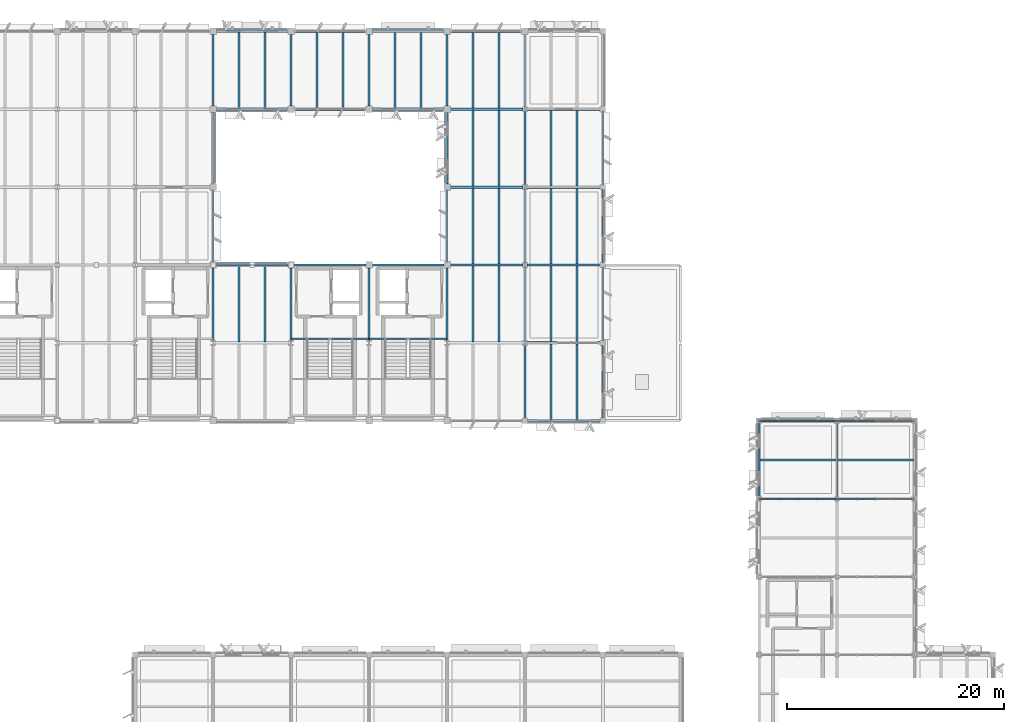
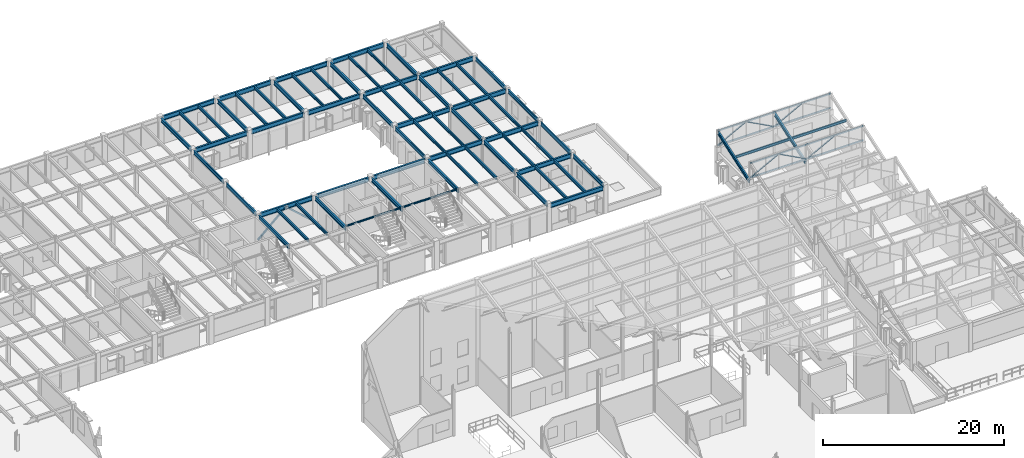
# One storey, part 20 of 82: 69 beams, 16 members.
"""IFC4 building model written with IfcOpenShell, lengths in metres."""

from ifc_helpers import new_model, si_unit, direction, frame, origin, origin_2d, place, context, subcontext, project, spatial, hollow_rectangle, hollow_circle, i_section, extrude, material, material_profile, profile_set, type_object, element, save


model = new_model("IFC4")

# Units and contexts
model_context = context("Model", 3, precision=1e-05, world=origin(), true_north=direction((0.0, 1.0)))
body_context = subcontext(model_context, "Body", "Model", "MODEL_VIEW")
ifc_project = project(units=[si_unit("LENGTHUNIT", "METRE"), si_unit("AREAUNIT", "SQUARE_METRE"), si_unit("VOLUMEUNIT", "CUBIC_METRE"), si_unit("PLANEANGLEUNIT", "RADIAN"), si_unit("MASSUNIT", "GRAM", prefix="KILO")], contexts=[model_context])

# Site, building, storey
site_placement = place(None, origin())
site = spatial("IfcSite", under=ifc_project, at=site_placement, CompositionType="ELEMENT")
building_placement = place(site_placement, origin())
building = spatial("IfcBuilding", under=site, at=building_placement, Name="Sillqori Civic Hall", CompositionType="ELEMENT")
storey_placement = place(building_placement, frame((0.0, 0.0, 14.10009765625)))
storey = spatial("IfcBuildingStorey", under=building, at=storey_placement, Name="L04", CompositionType="ELEMENT", Elevation=14.10009765625)

# Beams
ifc_material_1 = material(Name="Steel ASTM A992", Category="steel")
ifc_material_profile_1 = material_profile(ifc_material_1, i_section(OverallWidth=0.19091796875, OverallDepth=0.4599609375, WebThickness=0.010009765625, FlangeThickness=0.01611328125, FilletRadius=0.012939453125, at=origin_2d()), Name="W18X55")
ifc_profile_set_1 = profile_set([ifc_material_profile_1], Name="Steel ASTM A992")
beam_type_1 = type_object("IfcBeamType", Name="BM-W18X55", PredefinedType="BEAM", material=ifc_profile_set_1)
for number, where, z_axis, x_axis, name in (
    (1, (122.39990234375, 72.14990234375, 3.409912109375), (0.0, 0.944503108263, 0.328502478655), (-1.0, 0.0, 0.0), "Clerestory inclined rafter 17-10"),
    (2, (129.60009765625, 72.14990234375, 3.409912109375), (0.0, 0.944503108263, 0.328502478655), (-1.0, 0.0, 0.0), "Clerestory inclined rafter 18-10"),
):
    element("IfcBeam", number, at=place(storey_placement, frame(where, z_axis=z_axis, x_axis=x_axis)), inside=storey, type_object=beam_type_1, Name=name, PredefinedType="BEAM", context=body_context, shape_type="SweptSolid", body=[
        extrude(i_section(OverallWidth=0.19091796875, OverallDepth=0.4599609375, WebThickness=0.010009765625, FlangeThickness=0.01611328125, FilletRadius=0.012939453125, at=origin_2d()), origin(), (0.0, 0.0, 1.0), 7.3056640625),
    ])
ifc_material_profile_2 = material_profile(ifc_material_1, i_section(OverallWidth=0.2099609375, OverallDepth=0.532958984375, WebThickness=0.01025390625, FlangeThickness=0.015625, FilletRadius=0.013916015625, at=origin_2d()), Name="W21X62")
ifc_profile_set_2 = profile_set([ifc_material_profile_2], Name="Steel ASTM A992")
beam_type_2 = type_object("IfcBeamType", Name="BM-W21X62", PredefinedType="BEAM", material=ifc_profile_set_2)
beam_1_placement = place(storey_placement, frame((72.0, 86.58203125, 3.453369140625), z_axis=(0.0, 1.0, 0.0), x_axis=(-1.0, 0.0, 0.0)))
element("IfcBeam", 3, at=beam_1_placement, inside=storey, type_object=beam_type_2, Name="L04 girder Y 10-12", PredefinedType="BEAM", context=body_context, shape_type="SweptSolid", body=[
    extrude(i_section(OverallWidth=0.2099609375, OverallDepth=0.532958984375, WebThickness=0.01025390625, FlangeThickness=0.015625, FilletRadius=0.013916015625, at=origin_2d()), origin(), (0.0, 0.0, 1.0), 6.723876953125),
])
beam_2_placement = place(storey_placement, frame((72.0, 108.2939453125, 3.453369140625), z_axis=(0.0, 1.0, 0.0), x_axis=(-1.0, 0.0, 0.0)))
element("IfcBeam", 4, at=beam_2_placement, inside=storey, type_object=beam_type_2, Name="L04 girder Y 10-15", PredefinedType="BEAM", context=body_context, shape_type="SweptSolid", body=[
    extrude(i_section(OverallWidth=0.2099609375, OverallDepth=0.532958984375, WebThickness=0.01025390625, FlangeThickness=0.015625, FilletRadius=0.013916015625, at=origin_2d()), origin(), (0.0, 0.0, 1.0), 6.612060546875),
])
beam_3_placement = place(storey_placement, frame((79.199951171875, 86.58203125, 3.453369140625), z_axis=(0.0, 1.0, 0.0), x_axis=(-1.0, 0.0, 0.0)))
element("IfcBeam", 5, at=beam_3_placement, inside=storey, type_object=beam_type_2, Name="L04 girder Y 11-12", PredefinedType="BEAM", context=body_context, shape_type="SweptSolid", body=[
    extrude(i_section(OverallWidth=0.2099609375, OverallDepth=0.532958984375, WebThickness=0.01025390625, FlangeThickness=0.015625, FilletRadius=0.013916015625, at=origin_2d()), origin(), (0.0, 0.0, 1.0), 6.723876953125),
])
beam_4_placement = place(storey_placement, frame((79.199951171875, 108.2939453125, 3.453369140625), z_axis=(0.0, 1.0, 0.0), x_axis=(-1.0, 0.0, 0.0)))
element("IfcBeam", 6, at=beam_4_placement, inside=storey, type_object=beam_type_2, Name="L04 girder Y 11-15", PredefinedType="BEAM", context=body_context, shape_type="SweptSolid", body=[
    extrude(i_section(OverallWidth=0.2099609375, OverallDepth=0.532958984375, WebThickness=0.01025390625, FlangeThickness=0.015625, FilletRadius=0.013916015625, at=origin_2d()), origin(), (0.0, 0.0, 1.0), 6.612060546875),
])
beam_5_placement = place(storey_placement, frame((86.39990234375, 86.58203125, 3.453369140625), z_axis=(0.0, 1.0, 0.0), x_axis=(-1.0, 0.0, 0.0)))
element("IfcBeam", 7, at=beam_5_placement, inside=storey, type_object=beam_type_2, Name="L04 girder Y 12-12", PredefinedType="BEAM", context=body_context, shape_type="SweptSolid", body=[
    extrude(i_section(OverallWidth=0.2099609375, OverallDepth=0.532958984375, WebThickness=0.01025390625, FlangeThickness=0.015625, FilletRadius=0.013916015625, at=origin_2d()), origin(), (0.0, 0.0, 1.0), 6.723876953125),
])
beam_6_placement = place(storey_placement, frame((86.39990234375, 108.2939453125, 3.453369140625), z_axis=(0.0, 1.0, 0.0), x_axis=(-1.0, 0.0, 0.0)))
element("IfcBeam", 8, at=beam_6_placement, inside=storey, type_object=beam_type_2, Name="L04 girder Y 12-15", PredefinedType="BEAM", context=body_context, shape_type="SweptSolid", body=[
    extrude(i_section(OverallWidth=0.2099609375, OverallDepth=0.532958984375, WebThickness=0.01025390625, FlangeThickness=0.015625, FilletRadius=0.013916015625, at=origin_2d()), origin(), (0.0, 0.0, 1.0), 6.612060546875),
])
beam_7_placement = place(storey_placement, frame((93.60009765625, 86.58203125, 3.453369140625), z_axis=(0.0, 1.0, 0.0), x_axis=(-1.0, 0.0, 0.0)))
element("IfcBeam", 9, at=beam_7_placement, inside=storey, type_object=beam_type_2, Name="L04 girder Y 13-12", PredefinedType="BEAM", context=body_context, shape_type="SweptSolid", body=[
    extrude(i_section(OverallWidth=0.2099609375, OverallDepth=0.532958984375, WebThickness=0.01025390625, FlangeThickness=0.015625, FilletRadius=0.013916015625, at=origin_2d()), origin(), (0.0, 0.0, 1.0), 6.723876953125),
])
beam_8_placement = place(storey_placement, frame((93.60009765625, 108.2939453125, 3.453369140625), z_axis=(0.0, 1.0, 0.0), x_axis=(-1.0, 0.0, 0.0)))
element("IfcBeam", 10, at=beam_8_placement, inside=storey, type_object=beam_type_2, Name="L04 girder Y 13-15", PredefinedType="BEAM", context=body_context, shape_type="SweptSolid", body=[
    extrude(i_section(OverallWidth=0.2099609375, OverallDepth=0.532958984375, WebThickness=0.01025390625, FlangeThickness=0.015625, FilletRadius=0.013916015625, at=origin_2d()), origin(), (0.0, 0.0, 1.0), 6.612060546875),
])
beam_9_placement = place(storey_placement, frame((100.800048828125, 79.444091796875, 3.433349609375), z_axis=(0.0, 1.0, 0.0), x_axis=(-1.0, 0.0, 0.0)))
element("IfcBeam", 11, at=beam_9_placement, inside=storey, type_object=beam_type_2, Name="L04 girder Y 14-11", PredefinedType="BEAM", context=body_context, shape_type="SweptSolid", body=[
    extrude(i_section(OverallWidth=0.2099609375, OverallDepth=0.532958984375, WebThickness=0.01025390625, FlangeThickness=0.015625, FilletRadius=0.013916015625, at=origin_2d()), origin(), (0.0, 0.0, 1.0), 6.77392578125),
])
for number, where, z_axis, x_axis, name in (
    (12, (100.800048828125, 86.58203125, 3.433349609375), (0.0, 1.0, 0.0), (-1.0, 0.0, 0.0), "L04 girder Y 14-12"),
    (13, (100.800048828125, 93.781982421875, 3.433349609375), (0.0, 1.0, 0.0), (-1.0, 0.0, 0.0), "L04 girder Y 14-13"),
):
    element("IfcBeam", number, at=place(storey_placement, frame(where, z_axis=z_axis, x_axis=x_axis)), inside=storey, type_object=beam_type_2, Name=name, PredefinedType="BEAM", context=body_context, shape_type="SweptSolid", body=[
        extrude(i_section(OverallWidth=0.2099609375, OverallDepth=0.532958984375, WebThickness=0.01025390625, FlangeThickness=0.015625, FilletRadius=0.013916015625, at=origin_2d()), origin(), (0.0, 0.0, 1.0), 6.8359375),
    ])
beam_10_placement = place(storey_placement, frame((100.800048828125, 100.98193359375, 3.433349609375), z_axis=(0.0, 1.0, 0.0), x_axis=(-1.0, 0.0, 0.0)))
element("IfcBeam", 14, at=beam_10_placement, inside=storey, type_object=beam_type_2, Name="L04 girder Y 14-14", PredefinedType="BEAM", context=body_context, shape_type="SweptSolid", body=[
    extrude(i_section(OverallWidth=0.2099609375, OverallDepth=0.532958984375, WebThickness=0.01025390625, FlangeThickness=0.015625, FilletRadius=0.013916015625, at=origin_2d()), origin(), (0.0, 0.0, 1.0), 6.836181640625),
])
beam_11_placement = place(storey_placement, frame((100.800048828125, 108.181884765625, 3.433349609375), z_axis=(0.0, 1.0, 0.0), x_axis=(-1.0, 0.0, 0.0)))
element("IfcBeam", 15, at=beam_11_placement, inside=storey, type_object=beam_type_2, Name="L04 girder Y 14-15", PredefinedType="BEAM", context=body_context, shape_type="SweptSolid", body=[
    extrude(i_section(OverallWidth=0.2099609375, OverallDepth=0.532958984375, WebThickness=0.01025390625, FlangeThickness=0.015625, FilletRadius=0.013916015625, at=origin_2d()), origin(), (0.0, 0.0, 1.0), 6.72412109375),
])
ifc_material_profile_3 = material_profile(ifc_material_1, i_section(OverallWidth=0.22802734375, OverallDepth=0.60205078125, WebThickness=0.010498046875, FlangeThickness=0.014892578125, FilletRadius=0.014892578125, at=origin_2d()), Name="W24X68")
ifc_profile_set_3 = profile_set([ifc_material_profile_3], Name="Steel ASTM A992")
beam_type_3 = type_object("IfcBeamType", Name="BM-W24X68", PredefinedType="BEAM", material=ifc_profile_set_3)
for number, where, z_axis, x_axis, name in (
    (16, (72.2939453125, 93.60009765625, 3.4189453125), (1.0, 0.0, 0.0), (0.0, 1.0, 0.0), "L04 girder X 10-13"),
    (17, (72.2939453125, 108.0, 3.4189453125), (1.0, 0.0, 0.0), (0.0, 1.0, 0.0), "L04 girder X 10-15"),
    (18, (72.2939453125, 115.199951171875, 3.4189453125), (1.0, 0.0, 0.0), (0.0, 1.0, 0.0), "L04 girder X 10-16"),
    (19, (79.493896484375, 93.60009765625, 3.4189453125), (1.0, 0.0, 0.0), (0.0, 1.0, 0.0), "L04 girder X 11-13"),
    (20, (79.493896484375, 108.0, 3.4189453125), (1.0, 0.0, 0.0), (0.0, 1.0, 0.0), "L04 girder X 11-15"),
    (21, (79.493896484375, 115.199951171875, 3.4189453125), (1.0, 0.0, 0.0), (0.0, 1.0, 0.0), "L04 girder X 11-16"),
):
    element("IfcBeam", number, at=place(storey_placement, frame(where, z_axis=z_axis, x_axis=x_axis)), inside=storey, type_object=beam_type_3, Name=name, PredefinedType="BEAM", context=body_context, shape_type="SweptSolid", body=[
        extrude(i_section(OverallWidth=0.22802734375, OverallDepth=0.60205078125, WebThickness=0.010498046875, FlangeThickness=0.014892578125, FilletRadius=0.014892578125, at=origin_2d()), origin(), (0.0, 0.0, 1.0), 6.612060546875),
    ])
for number, where, z_axis, x_axis, name in (
    (22, (86.694091796875, 93.60009765625, 3.4189453125), (1.0, 0.0, 0.0), (0.0, 1.0, 0.0), "L04 girder X 12-13"),
    (23, (86.694091796875, 108.0, 3.4189453125), (1.0, 0.0, 0.0), (0.0, 1.0, 0.0), "L04 girder X 12-15"),
    (24, (86.694091796875, 115.199951171875, 3.4189453125), (1.0, 0.0, 0.0), (0.0, 1.0, 0.0), "L04 girder X 12-16"),
):
    element("IfcBeam", number, at=place(storey_placement, frame(where, z_axis=z_axis, x_axis=x_axis)), inside=storey, type_object=beam_type_3, Name=name, PredefinedType="BEAM", context=body_context, shape_type="SweptSolid", body=[
        extrude(i_section(OverallWidth=0.22802734375, OverallDepth=0.60205078125, WebThickness=0.010498046875, FlangeThickness=0.014892578125, FilletRadius=0.014892578125, at=origin_2d()), origin(), (0.0, 0.0, 1.0), 6.61181640625),
    ])
for number, where, z_axis, x_axis, name in (
    (25, (93.89404296875, 93.60009765625, 3.4189453125), (1.0, 0.0, 0.0), (0.0, 1.0, 0.0), "L04 girder X 13-13"),
    (26, (93.89404296875, 100.800048828125, 3.4189453125), (1.0, 0.0, 0.0), (0.0, 1.0, 0.0), "L04 girder X 13-14"),
    (27, (93.89404296875, 108.0, 3.4189453125), (1.0, 0.0, 0.0), (0.0, 1.0, 0.0), "L04 girder X 13-15"),
):
    element("IfcBeam", number, at=place(storey_placement, frame(where, z_axis=z_axis, x_axis=x_axis)), inside=storey, type_object=beam_type_3, Name=name, PredefinedType="BEAM", context=body_context, shape_type="SweptSolid", body=[
        extrude(i_section(OverallWidth=0.22802734375, OverallDepth=0.60205078125, WebThickness=0.010498046875, FlangeThickness=0.014892578125, FilletRadius=0.014892578125, at=origin_2d()), origin(), (0.0, 0.0, 1.0), 6.71484375),
    ])
beam_12_placement = place(storey_placement, frame((93.89404296875, 115.199951171875, 3.4189453125), z_axis=(1.0, 0.0, 0.0), x_axis=(0.0, 1.0, 0.0)))
element("IfcBeam", 28, at=beam_12_placement, inside=storey, type_object=beam_type_3, Name="L04 girder X 13-16", PredefinedType="BEAM", context=body_context, shape_type="SweptSolid", body=[
    extrude(i_section(OverallWidth=0.22802734375, OverallDepth=0.60205078125, WebThickness=0.010498046875, FlangeThickness=0.014892578125, FilletRadius=0.014892578125, at=origin_2d()), origin(), (0.0, 0.0, 1.0), 6.612060546875),
])
beam_13_placement = place(storey_placement, frame((101.0439453125, 79.199951171875, 3.39892578125), z_axis=(1.0, 0.0, 0.0), x_axis=(0.0, 1.0, 0.0)))
element("IfcBeam", 29, at=beam_13_placement, inside=storey, type_object=beam_type_3, Name="L04 girder X 14-11", PredefinedType="BEAM", context=body_context, shape_type="SweptSolid", body=[
    extrude(i_section(OverallWidth=0.22802734375, OverallDepth=0.60205078125, WebThickness=0.010498046875, FlangeThickness=0.014892578125, FilletRadius=0.014892578125, at=origin_2d()), origin(), (0.0, 0.0, 1.0), 6.712158203125),
])
for number, where, z_axis, x_axis, name in (
    (30, (100.990966796875, 86.39990234375, 3.39892578125), (1.0, 0.0, 0.0), (0.0, 1.0, 0.0), "L04 girder X 14-12"),
    (31, (100.990966796875, 93.60009765625, 3.39892578125), (1.0, 0.0, 0.0), (0.0, 1.0, 0.0), "L04 girder X 14-13"),
    (32, (100.990966796875, 100.800048828125, 3.39892578125), (1.0, 0.0, 0.0), (0.0, 1.0, 0.0), "L04 girder X 14-14"),
    (33, (100.990966796875, 108.0, 3.39892578125), (1.0, 0.0, 0.0), (0.0, 1.0, 0.0), "L04 girder X 14-15"),
):
    element("IfcBeam", number, at=place(storey_placement, frame(where, z_axis=z_axis, x_axis=x_axis)), inside=storey, type_object=beam_type_3, Name=name, PredefinedType="BEAM", context=body_context, shape_type="SweptSolid", body=[
        extrude(i_section(OverallWidth=0.22802734375, OverallDepth=0.60205078125, WebThickness=0.010498046875, FlangeThickness=0.014892578125, FilletRadius=0.014892578125, at=origin_2d()), origin(), (0.0, 0.0, 1.0), 6.76513671875),
    ])

# Members
ifc_material_2 = material(Name="Steel ASTM A500 Grade C", Category="steel")
ifc_material_profile_4 = material_profile(ifc_material_2, hollow_rectangle(XDim=0.199951171875, YDim=0.199951171875, WallThickness=0.010009765625, InnerFilletRadius=0.010009765625, OuterFilletRadius=0.02001953125, at=origin_2d()), Name="HSS200X200X10")
ifc_profile_set_4 = profile_set([ifc_material_profile_4], Name="Steel ASTM A500 Grade C")
member_type_1 = type_object("IfcMemberType", Name="BR-HSS200", PredefinedType="BRACE", material=ifc_profile_set_4)
member_1_placement = place(storey_placement, frame((72.0, 93.60009765625, 0.14990234375), z_axis=(0.742277082557, 0.0, 0.670093077648), x_axis=(0.0, 1.0, 0.0)))
element("IfcMember", 34, at=member_1_placement, inside=storey, type_object=member_type_1, Name="L04 seismic chevron brace L X13-10", PredefinedType="BRACE", context=body_context, shape_type="SweptSolid", body=[
    extrude(hollow_rectangle(XDim=0.199951171875, YDim=0.199951171875, WallThickness=0.010009765625, InnerFilletRadius=0.010009765625, OuterFilletRadius=0.02001953125, at=origin_2d()), origin(), (0.0, 0.0, 1.0), 4.85009765625),
])
member_2_placement = place(storey_placement, frame((79.199951171875, 93.60009765625, 0.14990234375), z_axis=(-0.742254478498, 0.0, 0.67011811582), x_axis=(0.0, -1.0, 0.0)))
element("IfcMember", 35, at=member_2_placement, inside=storey, type_object=member_type_1, Name="L04 seismic chevron brace R X13-10", PredefinedType="BRACE", context=body_context, shape_type="SweptSolid", body=[
    extrude(hollow_rectangle(XDim=0.199951171875, YDim=0.199951171875, WallThickness=0.010009765625, InnerFilletRadius=0.010009765625, OuterFilletRadius=0.02001953125, at=origin_2d()), origin(), (0.0, 0.0, 1.0), 4.849853515625),
])
ifc_material_profile_5 = material_profile(ifc_material_2, hollow_rectangle(XDim=0.1201171875, YDim=0.199951171875, WallThickness=0.010009765625, InnerFilletRadius=0.010009765625, OuterFilletRadius=0.02001953125, at=origin_2d()), Name="HSS200X120X10")
ifc_profile_set_5 = profile_set([ifc_material_profile_5], Name="Steel ASTM A500 Grade C")
member_type_2 = type_object("IfcMemberType", Name="CH-HSS200", PredefinedType="CHORD", material=ifc_profile_set_5)
for number, where, z_axis, x_axis, name in (
    (36, (122.39990234375, 72.0, 5.969970703125), (1.0, 0.0, 0.0), (0.0, 1.0, 0.0), "Clerestory truss top chord 17-9"),
    (37, (122.39990234375, 72.0, 4.0498046875), (1.0, 0.0, 0.0), (0.0, 1.0, 0.0), "Clerestory truss bottom chord 17-9"),
):
    element("IfcMember", number, at=place(storey_placement, frame(where, z_axis=z_axis, x_axis=x_axis)), inside=storey, type_object=member_type_2, Name=name, PredefinedType="CHORD", context=body_context, shape_type="SweptSolid", body=[
        extrude(hollow_rectangle(XDim=0.1201171875, YDim=0.199951171875, WallThickness=0.010009765625, InnerFilletRadius=0.010009765625, OuterFilletRadius=0.02001953125, at=origin_2d()), origin(), (0.0, 0.0, 1.0), 7.2001953125),
    ])
for number, where, z_axis, x_axis, name in (
    (38, (129.60009765625, 72.0, 5.969970703125), (1.0, 0.0, 0.0), (0.0, 1.0, 0.0), "Clerestory truss top chord 18-9"),
    (39, (129.60009765625, 72.0, 4.0498046875), (1.0, 0.0, 0.0), (0.0, 1.0, 0.0), "Clerestory truss bottom chord 18-9"),
):
    element("IfcMember", number, at=place(storey_placement, frame(where, z_axis=z_axis, x_axis=x_axis)), inside=storey, type_object=member_type_2, Name=name, PredefinedType="CHORD", context=body_context, shape_type="SweptSolid", body=[
        extrude(hollow_rectangle(XDim=0.1201171875, YDim=0.199951171875, WallThickness=0.010009765625, InnerFilletRadius=0.010009765625, OuterFilletRadius=0.02001953125, at=origin_2d()), origin(), (0.0, 0.0, 1.0), 7.199951171875),
    ])
for number, where, z_axis, x_axis, name in (
    (40, (122.39990234375, 79.199951171875, 5.969970703125), (1.0, 0.0, 0.0), (0.0, 1.0, 0.0), "Clerestory truss top chord 17-10"),
    (41, (122.39990234375, 79.199951171875, 4.0498046875), (1.0, 0.0, 0.0), (0.0, 1.0, 0.0), "Clerestory truss bottom chord 17-10"),
):
    element("IfcMember", number, at=place(storey_placement, frame(where, z_axis=z_axis, x_axis=x_axis)), inside=storey, type_object=member_type_2, Name=name, PredefinedType="CHORD", context=body_context, shape_type="SweptSolid", body=[
        extrude(hollow_rectangle(XDim=0.1201171875, YDim=0.199951171875, WallThickness=0.010009765625, InnerFilletRadius=0.010009765625, OuterFilletRadius=0.02001953125, at=origin_2d()), origin(), (0.0, 0.0, 1.0), 7.2001953125),
    ])
for number, where, z_axis, x_axis, name in (
    (42, (129.60009765625, 79.199951171875, 5.969970703125), (1.0, 0.0, 0.0), (0.0, 1.0, 0.0), "Clerestory truss top chord 18-10"),
    (43, (129.60009765625, 79.199951171875, 4.0498046875), (1.0, 0.0, 0.0), (0.0, 1.0, 0.0), "Clerestory truss bottom chord 18-10"),
):
    element("IfcMember", number, at=place(storey_placement, frame(where, z_axis=z_axis, x_axis=x_axis)), inside=storey, type_object=member_type_2, Name=name, PredefinedType="CHORD", context=body_context, shape_type="SweptSolid", body=[
        extrude(hollow_rectangle(XDim=0.1201171875, YDim=0.199951171875, WallThickness=0.010009765625, InnerFilletRadius=0.010009765625, OuterFilletRadius=0.02001953125, at=origin_2d()), origin(), (0.0, 0.0, 1.0), 7.199951171875),
    ])

# Beams
ifc_material_profile_6 = material_profile(ifc_material_1, i_section(OverallWidth=0.177978515625, OverallDepth=0.404052734375, WebThickness=0.007568359375, FlangeThickness=0.010986328125, FilletRadius=0.011962890625, at=origin_2d()), Name="W16X36")
ifc_profile_set_6 = profile_set([ifc_material_profile_6], Name="Steel ASTM A992")
beam_type_4 = type_object("IfcBeamType", Name="JS-W16X36", PredefinedType="JOIST", material=ifc_profile_set_6)
for number, where, z_axis, x_axis, name in (
    (44, (74.39990234375, 86.4951171875, 3.517822265625), (0.0, 1.0, 0.0), (-1.0, 0.0, 0.0), "L04 composite joist 10-12.1"),
    (45, (76.800048828125, 86.4951171875, 3.517822265625), (0.0, 1.0, 0.0), (-1.0, 0.0, 0.0), "L04 composite joist 10-12.2"),
):
    element("IfcBeam", number, at=place(storey_placement, frame(where, z_axis=z_axis, x_axis=x_axis)), inside=storey, type_object=beam_type_4, Name=name, PredefinedType="JOIST", context=body_context, shape_type="SweptSolid", body=[
        extrude(i_section(OverallWidth=0.177978515625, OverallDepth=0.404052734375, WebThickness=0.007568359375, FlangeThickness=0.010986328125, FilletRadius=0.011962890625, at=origin_2d()), origin(), (0.0, 0.0, 1.0), 7.009765625),
    ])
for number, where, z_axis, x_axis, name in (
    (46, (74.39990234375, 108.094970703125, 3.517822265625), (0.0, 1.0, 0.0), (-1.0, 0.0, 0.0), "L04 composite joist 10-15.1"),
    (47, (76.800048828125, 108.094970703125, 3.517822265625), (0.0, 1.0, 0.0), (-1.0, 0.0, 0.0), "L04 composite joist 10-15.2"),
    (48, (81.60009765625, 108.094970703125, 3.517822265625), (0.0, 1.0, 0.0), (-1.0, 0.0, 0.0), "L04 composite joist 11-15.1"),
    (49, (84.0, 108.094970703125, 3.517822265625), (0.0, 1.0, 0.0), (-1.0, 0.0, 0.0), "L04 composite joist 11-15.2"),
    (50, (88.800048828125, 108.094970703125, 3.517822265625), (0.0, 1.0, 0.0), (-1.0, 0.0, 0.0), "L04 composite joist 12-15.1"),
    (51, (91.199951171875, 108.094970703125, 3.517822265625), (0.0, 1.0, 0.0), (-1.0, 0.0, 0.0), "L04 composite joist 12-15.2"),
):
    element("IfcBeam", number, at=place(storey_placement, frame(where, z_axis=z_axis, x_axis=x_axis)), inside=storey, type_object=beam_type_4, Name=name, PredefinedType="JOIST", context=body_context, shape_type="SweptSolid", body=[
        extrude(i_section(OverallWidth=0.177978515625, OverallDepth=0.404052734375, WebThickness=0.007568359375, FlangeThickness=0.010986328125, FilletRadius=0.011962890625, at=origin_2d()), origin(), (0.0, 0.0, 1.0), 7.010009765625),
    ])
for number, where, z_axis, x_axis, name in (
    (52, (96.0, 86.4951171875, 3.517822265625), (0.0, 1.0, 0.0), (-1.0, 0.0, 0.0), "L04 composite joist 13-12.1"),
    (53, (98.39990234375, 86.4951171875, 3.517822265625), (0.0, 1.0, 0.0), (-1.0, 0.0, 0.0), "L04 composite joist 13-12.2"),
):
    element("IfcBeam", number, at=place(storey_placement, frame(where, z_axis=z_axis, x_axis=x_axis)), inside=storey, type_object=beam_type_4, Name=name, PredefinedType="JOIST", context=body_context, shape_type="SweptSolid", body=[
        extrude(i_section(OverallWidth=0.177978515625, OverallDepth=0.404052734375, WebThickness=0.007568359375, FlangeThickness=0.010986328125, FilletRadius=0.011962890625, at=origin_2d()), origin(), (0.0, 0.0, 1.0), 7.009765625),
    ])
for number, where, z_axis, x_axis, name in (
    (54, (96.0, 93.695068359375, 3.517822265625), (0.0, 1.0, 0.0), (-1.0, 0.0, 0.0), "L04 composite joist 13-13.1"),
    (55, (98.39990234375, 93.695068359375, 3.517822265625), (0.0, 1.0, 0.0), (-1.0, 0.0, 0.0), "L04 composite joist 13-13.2"),
    (56, (96.0, 100.89501953125, 3.517822265625), (0.0, 1.0, 0.0), (-1.0, 0.0, 0.0), "L04 composite joist 13-14.1"),
    (57, (98.39990234375, 100.89501953125, 3.517822265625), (0.0, 1.0, 0.0), (-1.0, 0.0, 0.0), "L04 composite joist 13-14.2"),
    (58, (96.0, 108.094970703125, 3.517822265625), (0.0, 1.0, 0.0), (-1.0, 0.0, 0.0), "L04 composite joist 13-15.1"),
    (59, (98.39990234375, 108.094970703125, 3.517822265625), (0.0, 1.0, 0.0), (-1.0, 0.0, 0.0), "L04 composite joist 13-15.2"),
    (60, (103.199951171875, 79.294921875, 3.497802734375), (0.0, 1.0, 0.0), (-1.0, 0.0, 0.0), "L04 composite joist 14-11.1"),
    (61, (105.60009765625, 79.294921875, 3.497802734375), (0.0, 1.0, 0.0), (-1.0, 0.0, 0.0), "L04 composite joist 14-11.2"),
):
    element("IfcBeam", number, at=place(storey_placement, frame(where, z_axis=z_axis, x_axis=x_axis)), inside=storey, type_object=beam_type_4, Name=name, PredefinedType="JOIST", context=body_context, shape_type="SweptSolid", body=[
        extrude(i_section(OverallWidth=0.177978515625, OverallDepth=0.404052734375, WebThickness=0.007568359375, FlangeThickness=0.010986328125, FilletRadius=0.011962890625, at=origin_2d()), origin(), (0.0, 0.0, 1.0), 7.010009765625),
    ])
for number, where, z_axis, x_axis, name in (
    (62, (103.199951171875, 86.4951171875, 3.497802734375), (0.0, 1.0, 0.0), (-1.0, 0.0, 0.0), "L04 composite joist 14-12.1"),
    (63, (105.60009765625, 86.4951171875, 3.497802734375), (0.0, 1.0, 0.0), (-1.0, 0.0, 0.0), "L04 composite joist 14-12.2"),
):
    element("IfcBeam", number, at=place(storey_placement, frame(where, z_axis=z_axis, x_axis=x_axis)), inside=storey, type_object=beam_type_4, Name=name, PredefinedType="JOIST", context=body_context, shape_type="SweptSolid", body=[
        extrude(i_section(OverallWidth=0.177978515625, OverallDepth=0.404052734375, WebThickness=0.007568359375, FlangeThickness=0.010986328125, FilletRadius=0.011962890625, at=origin_2d()), origin(), (0.0, 0.0, 1.0), 7.009765625),
    ])
for number, where, z_axis, x_axis, name in (
    (64, (103.199951171875, 93.695068359375, 3.497802734375), (0.0, 1.0, 0.0), (-1.0, 0.0, 0.0), "L04 composite joist 14-13.1"),
    (65, (105.60009765625, 93.695068359375, 3.497802734375), (0.0, 1.0, 0.0), (-1.0, 0.0, 0.0), "L04 composite joist 14-13.2"),
    (66, (103.199951171875, 100.89501953125, 3.497802734375), (0.0, 1.0, 0.0), (-1.0, 0.0, 0.0), "L04 composite joist 14-14.1"),
    (67, (105.60009765625, 100.89501953125, 3.497802734375), (0.0, 1.0, 0.0), (-1.0, 0.0, 0.0), "L04 composite joist 14-14.2"),
):
    element("IfcBeam", number, at=place(storey_placement, frame(where, z_axis=z_axis, x_axis=x_axis)), inside=storey, type_object=beam_type_4, Name=name, PredefinedType="JOIST", context=body_context, shape_type="SweptSolid", body=[
        extrude(i_section(OverallWidth=0.177978515625, OverallDepth=0.404052734375, WebThickness=0.007568359375, FlangeThickness=0.010986328125, FilletRadius=0.011962890625, at=origin_2d()), origin(), (0.0, 0.0, 1.0), 7.010009765625),
    ])
ifc_material_profile_7 = material_profile(ifc_material_1, i_section(OverallWidth=0.133056640625, OverallDepth=0.20703125, WebThickness=0.005859375, FlangeThickness=0.00830078125, FilletRadius=0.008056640625, at=origin_2d()), Name="W8X18")
ifc_profile_set_7 = profile_set([ifc_material_profile_7], Name="Steel ASTM A992")
beam_type_5 = type_object("IfcBeamType", Name="LN-W8X18", PredefinedType="LINTEL", material=ifc_profile_set_7)
for number, where, z_axis, x_axis, name in (
    (68, (79.25, 86.77001953125, 3.622314453125), (1.0, 0.0, 0.0), (0.0, 1.0, 0.0), "L04 C7 stair upper arrival steel trimmer"),
    (69, (86.449951171875, 86.77001953125, 3.622314453125), (1.0, 0.0, 0.0), (0.0, 1.0, 0.0), "L04 C8 stair upper arrival steel trimmer"),
):
    element("IfcBeam", number, at=place(storey_placement, frame(where, z_axis=z_axis, x_axis=x_axis)), inside=storey, type_object=beam_type_5, Name=name, PredefinedType="LINTEL", context=body_context, shape_type="SweptSolid", body=[
        extrude(i_section(OverallWidth=0.133056640625, OverallDepth=0.20703125, WebThickness=0.005859375, FlangeThickness=0.00830078125, FilletRadius=0.008056640625, at=origin_2d()), origin(), (0.0, 0.0, 1.0), 7.10009765625),
    ])
ifc_material_profile_8 = material_profile(ifc_material_1, i_section(OverallWidth=0.1650390625, OverallDepth=0.31005859375, WebThickness=0.005859375, FlangeThickness=0.009765625, FilletRadius=0.010009765625, at=origin_2d()), Name="W12X26")
ifc_profile_set_8 = profile_set([ifc_material_profile_8], Name="Steel ASTM A992")
beam_type_6 = type_object("IfcBeamType", Name="PR-W12X26", PredefinedType="JOIST", material=ifc_profile_set_8)
for number, where, z_axis, x_axis, name in (
    (70, (122.47998046875, 75.60009765625, 4.559814453125), (1.0, 0.0, 0.0), (0.0, 1.0, 0.0), "Clerestory roof purlin 17-10"),
    (71, (129.679931640625, 75.60009765625, 4.559814453125), (1.0, 0.0, 0.0), (0.0, 1.0, 0.0), "Clerestory roof purlin 18-10"),
):
    element("IfcBeam", number, at=place(storey_placement, frame(where, z_axis=z_axis, x_axis=x_axis)), inside=storey, type_object=beam_type_6, Name=name, PredefinedType="JOIST", context=body_context, shape_type="SweptSolid", body=[
        extrude(i_section(OverallWidth=0.1650390625, OverallDepth=0.31005859375, WebThickness=0.005859375, FlangeThickness=0.009765625, FilletRadius=0.010009765625, at=origin_2d()), origin(), (0.0, 0.0, 1.0), 7.0400390625),
    ])
ifc_material_profile_9 = material_profile(ifc_material_1, i_section(OverallWidth=0.166015625, OverallDepth=0.528076171875, WebThickness=0.009765625, FlangeThickness=0.013671875, FilletRadius=0.013916015625, at=origin_2d()), Name="W21X50")
ifc_profile_set_9 = profile_set([ifc_material_profile_9], Name="Steel ASTM A992")
beam_type_7 = type_object("IfcBeamType", Name="SP-W21X50", PredefinedType="SPANDREL", material=ifc_profile_set_9)
for number, where, z_axis, x_axis, name in (
    (72, (72.0, 93.89404296875, 3.455810546875), (0.0, 1.0, 0.0), (-1.0, 0.0, 0.0), "L04 girder Y 10-13"),
    (73, (72.0, 101.093994140625, 3.455810546875), (0.0, 1.0, 0.0), (-1.0, 0.0, 0.0), "L04 girder Y 10-14"),
    (74, (93.60009765625, 93.89404296875, 3.455810546875), (0.0, 1.0, 0.0), (-1.0, 0.0, 0.0), "L04 girder Y 13-13"),
    (75, (93.60009765625, 101.093994140625, 3.455810546875), (0.0, 1.0, 0.0), (-1.0, 0.0, 0.0), "L04 girder Y 13-14"),
):
    element("IfcBeam", number, at=place(storey_placement, frame(where, z_axis=z_axis, x_axis=x_axis)), inside=storey, type_object=beam_type_7, Name=name, PredefinedType="SPANDREL", context=body_context, shape_type="SweptSolid", body=[
        extrude(i_section(OverallWidth=0.166015625, OverallDepth=0.528076171875, WebThickness=0.009765625, FlangeThickness=0.013671875, FilletRadius=0.013916015625, at=origin_2d()), origin(), (0.0, 0.0, 1.0), 6.612060546875),
    ])
for number, where, z_axis, x_axis, name in (
    (76, (108.0, 79.444091796875, 3.435791015625), (0.0, 1.0, 0.0), (-1.0, 0.0, 0.0), "L04 girder Y 15-11"),
    (77, (108.0, 86.64404296875, 3.435791015625), (0.0, 1.0, 0.0), (-1.0, 0.0, 0.0), "L04 girder Y 15-12"),
    (78, (108.0, 93.843994140625, 3.435791015625), (0.0, 1.0, 0.0), (-1.0, 0.0, 0.0), "L04 girder Y 15-13"),
):
    element("IfcBeam", number, at=place(storey_placement, frame(where, z_axis=z_axis, x_axis=x_axis)), inside=storey, type_object=beam_type_7, Name=name, PredefinedType="SPANDREL", context=body_context, shape_type="SweptSolid", body=[
        extrude(i_section(OverallWidth=0.166015625, OverallDepth=0.528076171875, WebThickness=0.009765625, FlangeThickness=0.013671875, FilletRadius=0.013916015625, at=origin_2d()), origin(), (0.0, 0.0, 1.0), 6.7119140625),
    ])
beam_14_placement = place(storey_placement, frame((108.0, 101.0439453125, 3.435791015625), z_axis=(0.0, 1.0, 0.0), x_axis=(-1.0, 0.0, 0.0)))
element("IfcBeam", 79, at=beam_14_placement, inside=storey, type_object=beam_type_7, Name="L04 girder Y 15-14", PredefinedType="SPANDREL", context=body_context, shape_type="SweptSolid", body=[
    extrude(i_section(OverallWidth=0.166015625, OverallDepth=0.528076171875, WebThickness=0.009765625, FlangeThickness=0.013671875, FilletRadius=0.013916015625, at=origin_2d()), origin(), (0.0, 0.0, 1.0), 6.712158203125),
])

# Members
ifc_material_profile_10 = material_profile(ifc_material_2, hollow_circle(Radius=0.084228515625, WallThickness=0.010009765625, at=origin_2d()), Name="CHS168X10")
ifc_profile_set_10 = profile_set([ifc_material_profile_10], Name="Steel ASTM A500 Grade C")
member_type_3 = type_object("IfcMemberType", Name="ST-CHS168", PredefinedType="STRUT", material=ifc_profile_set_10)
for number, where, z_axis, x_axis, name in (
    (80, (122.39990234375, 72.0, 4.0498046875), (0.882341346394, 0.0, 0.470609974867), (0.0, 1.0, 0.0), "Clerestory truss diagonal strut L 17-9"),
    (81, (129.60009765625, 72.0, 4.0498046875), (-0.882341346394, 0.0, 0.470609974867), (0.0, -1.0, 0.0), "Clerestory truss diagonal strut R 17-9"),
):
    element("IfcMember", number, at=place(storey_placement, frame(where, z_axis=z_axis, x_axis=x_axis)), inside=storey, type_object=member_type_3, Name=name, PredefinedType="STRUT", context=body_context, shape_type="SweptSolid", body=[
        extrude(hollow_circle(Radius=0.084228515625, WallThickness=0.010009765625, at=origin_2d()), origin(), (0.0, 0.0, 1.0), 4.080078125),
    ])
member_3_placement = place(storey_placement, frame((129.60009765625, 72.0, 4.0498046875), z_axis=(0.882328093246, 0.0, 0.470634822203), x_axis=(0.0, 1.0, 0.0)))
element("IfcMember", 82, at=member_3_placement, inside=storey, type_object=member_type_3, Name="Clerestory truss diagonal strut L 18-9", PredefinedType="STRUT", context=body_context, shape_type="SweptSolid", body=[
    extrude(hollow_circle(Radius=0.084228515625, WallThickness=0.010009765625, at=origin_2d()), origin(), (0.0, 0.0, 1.0), 4.079833984375),
])
for number, where, z_axis, x_axis, name in (
    (83, (122.39990234375, 79.199951171875, 4.0498046875), (0.882341346394, 0.0, 0.470609974867), (0.0, 1.0, 0.0), "Clerestory truss diagonal strut L 17-10"),
    (84, (129.60009765625, 79.199951171875, 4.0498046875), (-0.882341346394, 0.0, 0.470609974867), (0.0, -1.0, 0.0), "Clerestory truss diagonal strut R 17-10"),
):
    element("IfcMember", number, at=place(storey_placement, frame(where, z_axis=z_axis, x_axis=x_axis)), inside=storey, type_object=member_type_3, Name=name, PredefinedType="STRUT", context=body_context, shape_type="SweptSolid", body=[
        extrude(hollow_circle(Radius=0.084228515625, WallThickness=0.010009765625, at=origin_2d()), origin(), (0.0, 0.0, 1.0), 4.080078125),
    ])
member_4_placement = place(storey_placement, frame((129.60009765625, 79.199951171875, 4.0498046875), z_axis=(0.882328093246, 0.0, 0.470634822203), x_axis=(0.0, 1.0, 0.0)))
element("IfcMember", 85, at=member_4_placement, inside=storey, type_object=member_type_3, Name="Clerestory truss diagonal strut L 18-10", PredefinedType="STRUT", context=body_context, shape_type="SweptSolid", body=[
    extrude(hollow_circle(Radius=0.084228515625, WallThickness=0.010009765625, at=origin_2d()), origin(), (0.0, 0.0, 1.0), 4.079833984375),
])

save(model, "model.ifc")
